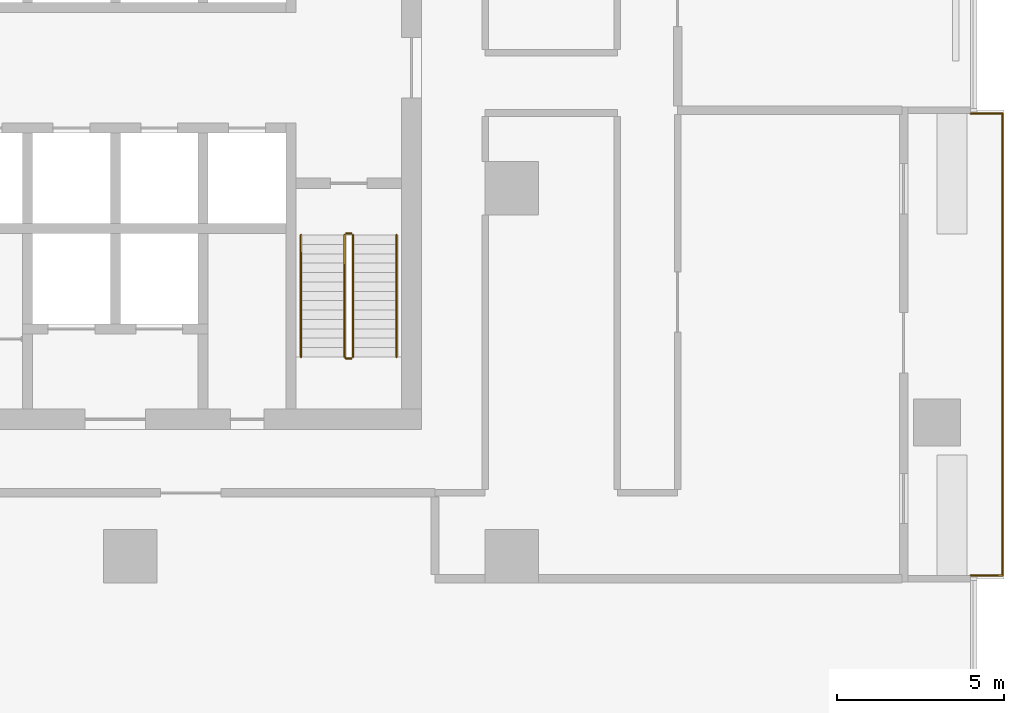
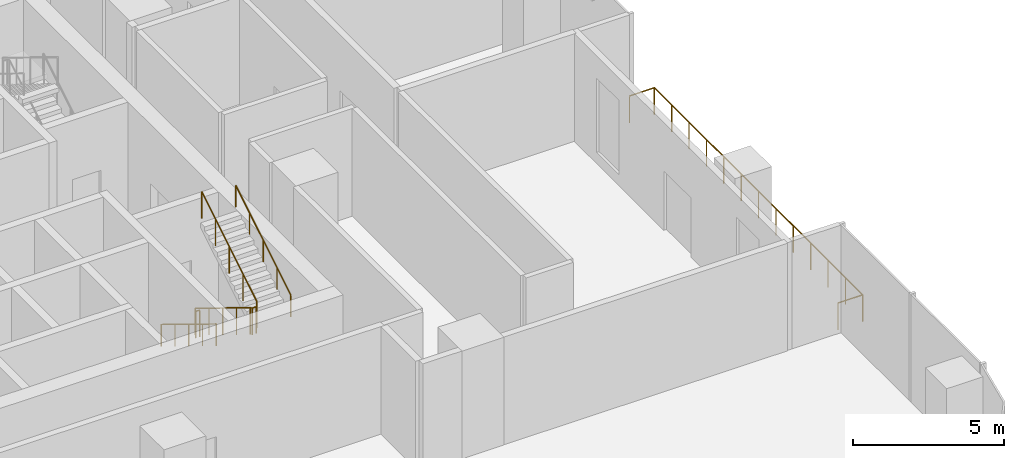
# One storey, part 13 of 14: 6 railings.
"""IFC4 building model written with IfcOpenShell, lengths in metres."""

from ifc_helpers import new_model, si_unit, direction, frame, origin, origin_2d, place, context, subcontext, project, spatial, circle, extrude, material, type_object, element, save


model = new_model("IFC4")

# Units and contexts
model_context = context("Model", 3, precision=1e-05, world=origin(), true_north=direction((0.0, 1.0)))
body_context = subcontext(model_context, "Body", "Model", "MODEL_VIEW")
ifc_project = project(units=[si_unit("LENGTHUNIT", "METRE"), si_unit("AREAUNIT", "SQUARE_METRE"), si_unit("VOLUMEUNIT", "CUBIC_METRE"), si_unit("PLANEANGLEUNIT", "RADIAN"), si_unit("MASSUNIT", "GRAM", prefix="KILO")], contexts=[model_context])

# Site, building, storey
site_placement = place(None, origin())
site = spatial("IfcSite", under=ifc_project, at=site_placement, CompositionType="ELEMENT")
building_placement = place(site_placement, origin())
building = spatial("IfcBuilding", under=site, at=building_placement, Name="Mopane Tessera Tower", CompositionType="ELEMENT")
storey_placement = place(building_placement, frame((0.0, 0.0, 55.0)))
storey = spatial("IfcBuildingStorey", under=building, at=storey_placement, Name="L10", CompositionType="ELEMENT", Elevation=55.0)

# Railings
ifc_material_1 = material(Name="Powder-coated steel balustrade", Category="steel")
railing_type_1 = type_object("IfcRailingType", Name="Escape stair guard 1100 mm", PredefinedType="GUARDRAIL", material=ifc_material_1)
railing_1_placement = place(storey_placement, frame((12.10009765625, -1.39990234375, 0.17138671875)))
element("IfcRailing", 1, at=railing_1_placement, inside=storey, type_object=railing_type_1, Name="L10 ST3 stair guard 1", PredefinedType="GUARDRAIL", context=body_context, shape_type="SweptSolid", body=[
    extrude(circle(Radius=0.02392578125, at=origin_2d()), frame((0.0, 0.0, 1.076171875), z_axis=(0.0, -0.852865859571, 0.52213008492), x_axis=(1.0, 0.0, 0.0)), (0.0, 0.0, 1.0), 4.26806640625),
    extrude(circle(Radius=0.02392578125, at=origin_2d()), frame((0.0, -3.64013671875, 3.3046875), z_axis=(0.705375805398, -0.708833529934, 0.0), x_axis=(0.708833529934, 0.705375805398, 0.0)), (0.0, 0.0, 1.0), 0.070556640625),
    extrude(circle(Radius=0.02392578125, at=origin_2d()), frame((0.0498046875, -3.690185546875, 3.3046875), z_axis=(1.0, 0.0, 0.0), x_axis=(0.0, 1.0, 0.0)), (0.0, 0.0, 1.0), 0.150146484375),
    extrude(circle(Radius=0.02099609375, at=origin_2d()), origin(), (0.0, 0.0, 1.0), 1.052001953125),
    extrude(circle(Radius=0.02099609375, at=origin_2d()), frame((0.0, -0.91015625, 0.55712890625)), (0.0, 0.0, 1.0), 1.052001953125),
    extrude(circle(Radius=0.02099609375, at=origin_2d()), frame((0.0, -1.820068359375, 1.1142578125)), (0.0, 0.0, 1.0), 1.052001953125),
    extrude(circle(Radius=0.02099609375, at=origin_2d()), frame((0.0, -2.72998046875, 1.67138671875)), (0.0, 0.0, 1.0), 1.052001953125),
    extrude(circle(Radius=0.02099609375, at=origin_2d()), frame((0.0, -3.64013671875, 2.228515625)), (0.0, 0.0, 1.0), 1.052001953125),
    extrude(circle(Radius=0.02099609375, at=origin_2d()), frame((0.0498046875, -3.690185546875, 2.228515625)), (0.0, 0.0, 1.0), 1.052001953125),
    extrude(circle(Radius=0.02099609375, at=origin_2d()), frame((0.199951171875, -3.690185546875, 2.228515625)), (0.0, 0.0, 1.0), 1.052001953125),
])
railing_2_placement = place(storey_placement, frame((12.35009765625, -5.0400390625, 2.571533203125)))
element("IfcRailing", 2, at=railing_2_placement, inside=storey, type_object=railing_type_1, Name="L10 ST3 stair guard 2", PredefinedType="GUARDRAIL", context=body_context, shape_type="SweptSolid", body=[
    extrude(circle(Radius=0.02392578125, at=origin_2d()), frame((0.0, 0.0, 1.076171875), z_axis=(0.0, 0.852865859571, 0.52213008492), x_axis=(-1.0, 0.0, 0.0)), (0.0, 0.0, 1.0), 4.26806640625),
    extrude(circle(Radius=0.02099609375, at=origin_2d()), origin(), (0.0, 0.0, 1.0), 1.052001953125),
    extrude(circle(Radius=0.02099609375, at=origin_2d()), frame((0.0, 0.91015625, 0.55712890625)), (0.0, 0.0, 1.0), 1.052001953125),
    extrude(circle(Radius=0.02099609375, at=origin_2d()), frame((0.0, 1.820068359375, 1.1142578125)), (0.0, 0.0, 1.0), 1.052001953125),
    extrude(circle(Radius=0.02099609375, at=origin_2d()), frame((0.0, 2.72998046875, 1.67138671875)), (0.0, 0.0, 1.0), 1.052001953125),
    extrude(circle(Radius=0.02099609375, at=origin_2d()), frame((0.0, 3.64013671875, 2.228515625)), (0.0, 0.0, 1.0), 1.052001953125),
])
railing_3_placement = place(storey_placement, frame((12.14990234375, -1.35009765625, 0.0)))
element("IfcRailing", 3, at=railing_3_placement, inside=storey, type_object=railing_type_1, Name="L10 ST3 stair guard 3", PredefinedType="GUARDRAIL", context=body_context, shape_type="SweptSolid", body=[
    extrude(circle(Radius=0.02392578125, at=origin_2d()), frame((0.0, 0.0, 1.076171875), z_axis=(1.0, 0.0, 0.0), x_axis=(0.0, 1.0, 0.0)), (0.0, 0.0, 1.0), 0.150146484375),
    extrude(circle(Radius=0.02099609375, at=origin_2d()), origin(), (0.0, 0.0, 1.0), 1.052001953125),
    extrude(circle(Radius=0.02099609375, at=origin_2d()), frame((0.150146484375, 0.0, 0.0)), (0.0, 0.0, 1.0), 1.052001953125),
])
ifc_material_2 = material(Name="Powder-coated steel balustrade", Category="steel")
railing_type_2 = type_object("IfcRailingType", Name="Escape stair handrail 900 mm", PredefinedType="HANDRAIL", material=ifc_material_2)
railing_4_placement = place(storey_placement, frame((10.800048828125, -1.39990234375, 0.17138671875)))
element("IfcRailing", 4, at=railing_4_placement, inside=storey, type_object=railing_type_2, Name="L10 ST3 stair handrail 1", PredefinedType="HANDRAIL", context=body_context, shape_type="SweptSolid", body=[
    extrude(circle(Radius=0.02392578125, at=origin_2d()), frame((0.0, 0.0, 0.8759765625), z_axis=(0.0, -0.852865859571, 0.52213008492), x_axis=(1.0, 0.0, 0.0)), (0.0, 0.0, 1.0), 4.26806640625),
    extrude(circle(Radius=0.02099609375, at=origin_2d()), origin(), (0.0, 0.0, 1.0), 0.851806640625),
    extrude(circle(Radius=0.02099609375, at=origin_2d()), frame((0.0, -0.91015625, 0.55712890625)), (0.0, 0.0, 1.0), 0.851806640625),
    extrude(circle(Radius=0.02099609375, at=origin_2d()), frame((0.0, -1.820068359375, 1.1142578125)), (0.0, 0.0, 1.0), 0.851806640625),
    extrude(circle(Radius=0.02099609375, at=origin_2d()), frame((0.0, -2.72998046875, 1.67138671875)), (0.0, 0.0, 1.0), 0.851806640625),
    extrude(circle(Radius=0.02099609375, at=origin_2d()), frame((0.0, -3.64013671875, 2.228515625)), (0.0, 0.0, 1.0), 0.851806640625),
])
railing_5_placement = place(storey_placement, frame((13.64990234375, -5.0400390625, 2.571533203125)))
element("IfcRailing", 5, at=railing_5_placement, inside=storey, type_object=railing_type_2, Name="L10 ST3 stair handrail 2", PredefinedType="HANDRAIL", context=body_context, shape_type="SweptSolid", body=[
    extrude(circle(Radius=0.02392578125, at=origin_2d()), frame((0.0, 0.0, 0.8759765625), z_axis=(0.0, 0.852865859571, 0.52213008492), x_axis=(-1.0, 0.0, 0.0)), (0.0, 0.0, 1.0), 4.26806640625),
    extrude(circle(Radius=0.02099609375, at=origin_2d()), origin(), (0.0, 0.0, 1.0), 0.851806640625),
    extrude(circle(Radius=0.02099609375, at=origin_2d()), frame((0.0, 0.91015625, 0.55712890625)), (0.0, 0.0, 1.0), 0.851806640625),
    extrude(circle(Radius=0.02099609375, at=origin_2d()), frame((0.0, 1.820068359375, 1.1142578125)), (0.0, 0.0, 1.0), 0.851806640625),
    extrude(circle(Radius=0.02099609375, at=origin_2d()), frame((0.0, 2.72998046875, 1.67138671875)), (0.0, 0.0, 1.0), 0.851806640625),
    extrude(circle(Radius=0.02099609375, at=origin_2d()), frame((0.0, 3.64013671875, 2.228515625)), (0.0, 0.0, 1.0), 0.851806640625),
])
ifc_material_3 = material(Name="Stainless steel S316", Category="steel")
railing_type_3 = type_object("IfcRailingType", Name="Terrace guard 1100", PredefinedType="GUARDRAIL", material=ifc_material_3)
railing_6_placement = place(storey_placement, frame((30.800048828125, -11.566650390625, 0.0)))
element("IfcRailing", 6, at=railing_6_placement, inside=storey, type_object=railing_type_3, Name="e:nw:L10:N1:guard", PredefinedType="GUARDRAIL", context=body_context, shape_type="SweptSolid", body=[
    extrude(circle(Radius=0.02392578125, at=origin_2d()), frame((0.0, 0.0, 1.076171875), z_axis=(1.0, 0.0, 0.0), x_axis=(0.0, 1.0, 0.0)), (0.0, 0.0, 1.0), 0.949951171875),
    extrude(circle(Radius=0.02392578125, at=origin_2d()), frame((0.949951171875, 0.0, 1.076171875), z_axis=(0.0, 1.0, 0.0), x_axis=(-1.0, 0.0, 0.0)), (0.0, 0.0, 1.0), 13.800048828125),
    extrude(circle(Radius=0.02392578125, at=origin_2d()), frame((0.949951171875, 13.800048828125, 1.076171875), z_axis=(-1.0, 0.0, 0.0), x_axis=(0.0, -1.0, 0.0)), (0.0, 0.0, 1.0), 0.949951171875),
    extrude(circle(Radius=0.02099609375, at=origin_2d()), origin(), (0.0, 0.0, 1.0), 1.052001953125),
    extrude(circle(Radius=0.02099609375, at=origin_2d()), frame((0.949951171875, 0.0, 0.0)), (0.0, 0.0, 1.0), 1.052001953125),
    extrude(circle(Radius=0.02099609375, at=origin_2d()), frame((0.949951171875, 1.14990234375, 0.0)), (0.0, 0.0, 1.0), 1.052001953125),
    extrude(circle(Radius=0.02099609375, at=origin_2d()), frame((0.949951171875, 2.300048828125, 0.0)), (0.0, 0.0, 1.0), 1.052001953125),
    extrude(circle(Radius=0.02099609375, at=origin_2d()), frame((0.949951171875, 3.449951171875, 0.0)), (0.0, 0.0, 1.0), 1.052001953125),
    extrude(circle(Radius=0.02099609375, at=origin_2d()), frame((0.949951171875, 4.60009765625, 0.0)), (0.0, 0.0, 1.0), 1.052001953125),
    extrude(circle(Radius=0.02099609375, at=origin_2d()), frame((0.949951171875, 5.75, 0.0)), (0.0, 0.0, 1.0), 1.052001953125),
    extrude(circle(Radius=0.02099609375, at=origin_2d()), frame((0.949951171875, 6.89990234375, 0.0)), (0.0, 0.0, 1.0), 1.052001953125),
    extrude(circle(Radius=0.02099609375, at=origin_2d()), frame((0.949951171875, 8.050048828125, 0.0)), (0.0, 0.0, 1.0), 1.052001953125),
    extrude(circle(Radius=0.02099609375, at=origin_2d()), frame((0.949951171875, 9.199951171875, 0.0)), (0.0, 0.0, 1.0), 1.052001953125),
    extrude(circle(Radius=0.02099609375, at=origin_2d()), frame((0.949951171875, 10.35009765625, 0.0)), (0.0, 0.0, 1.0), 1.052001953125),
    extrude(circle(Radius=0.02099609375, at=origin_2d()), frame((0.949951171875, 11.5, 0.0)), (0.0, 0.0, 1.0), 1.052001953125),
    extrude(circle(Radius=0.02099609375, at=origin_2d()), frame((0.949951171875, 12.650146484375, 0.0)), (0.0, 0.0, 1.0), 1.052001953125),
    extrude(circle(Radius=0.02099609375, at=origin_2d()), frame((0.949951171875, 13.800048828125, 0.0)), (0.0, 0.0, 1.0), 1.052001953125),
    extrude(circle(Radius=0.02099609375, at=origin_2d()), frame((0.0, 13.800048828125, 0.0)), (0.0, 0.0, 1.0), 1.052001953125),
])

save(model, "model.ifc")
